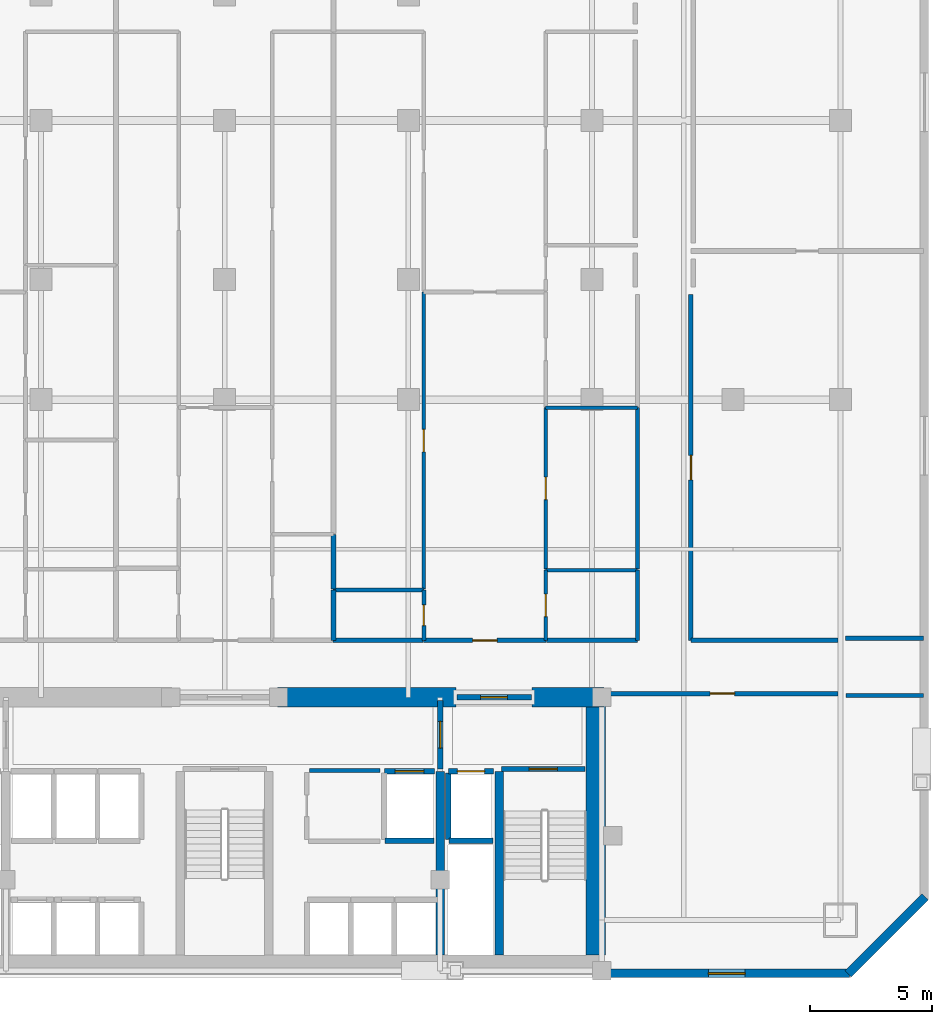
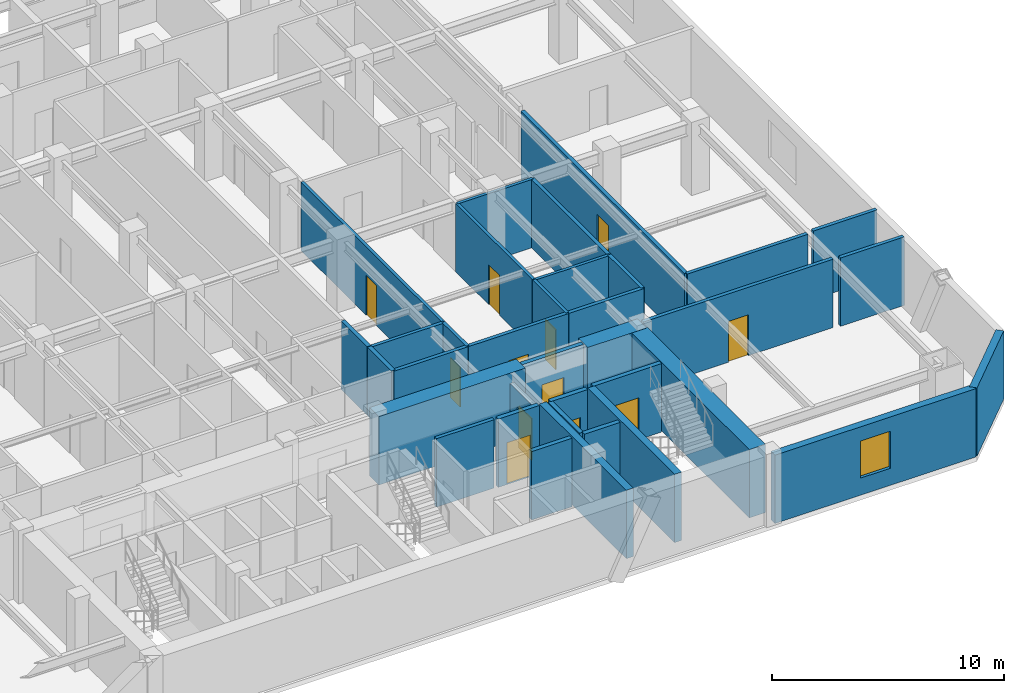
# One storey, part 5 of 9: 35 walls, 12 doors, 1 window, 13 openings.
"""IFC4 building model written with IfcOpenShell, lengths in metres."""

from ifc_helpers import new_model, si_unit, direction, frame, frame_2d, origin, place, context, subcontext, project, spatial, rectangle, extrude, material, layer, layer_set, type_object, element, fill, save


model = new_model("IFC4")

# Units and contexts
model_context = context("Model", 3, precision=1e-05, world=origin(), true_north=direction((0.0, 1.0)))
body_context = subcontext(model_context, "Body", "Model", "MODEL_VIEW")
ifc_project = project(units=[si_unit("LENGTHUNIT", "METRE"), si_unit("AREAUNIT", "SQUARE_METRE"), si_unit("VOLUMEUNIT", "CUBIC_METRE"), si_unit("PLANEANGLEUNIT", "RADIAN"), si_unit("MASSUNIT", "GRAM", prefix="KILO")], contexts=[model_context])

# Site, building, storey
site_placement = place(None, origin())
site = spatial("IfcSite", under=ifc_project, at=site_placement, CompositionType="ELEMENT")
building_placement = place(site_placement, origin())
building = spatial("IfcBuilding", under=site, at=building_placement, Name="Ventersveld Concourse Tower", CompositionType="ELEMENT")
storey_placement = place(building_placement, frame((0.0, 0.0, 45.199951171875)))
storey = spatial("IfcBuildingStorey", under=building, at=storey_placement, Name="L10", CompositionType="ELEMENT", Elevation=45.199951171875)

# Walls
ifc_material_1 = material(Name="Concrete C60/75", Category="concrete")
ifc_layer_1 = layer(ifc_material_1, 0.35009765625)
ifc_layer_set_1 = layer_set([ifc_layer_1], Name="Concrete C60/75")
wall_type_1 = type_object("IfcWallType", Name="WL-CORE-350L", PredefinedType="SHEAR", material=ifc_layer_set_1)
for number, where, z_axis, x_axis, name in (
    (1, (37.550048828125, 0.919921875, 0.0), (0.0, 0.0, 1.0), (0.0, 1.0, 0.0), "L10 Core Internal Shear Web W-SVL-W"),
    (2, (39.9599609375, 0.919921875, 0.0), (0.0, 0.0, 1.0), (0.0, 1.0, 0.0), "L10 Core Internal Shear Web W-ST2-W"),
):
    element("IfcWall", number, at=place(storey_placement, frame(where, z_axis=z_axis, x_axis=x_axis)), inside=storey, type_object=wall_type_1, Name=name, PredefinedType="SHEAR", context=body_context, shape_type="SweptSolid", body=[
        extrude(rectangle(XDim=7.5, YDim=0.35009765625, at=frame_2d((3.75, 0.0))), origin(), (0.0, 0.0, 1.0), 3.60009765625),
    ])
ifc_layer_2 = layer(ifc_material_1, 0.800048828125)
ifc_layer_set_2 = layer_set([ifc_layer_2], Name="Concrete C60/75")
wall_type_2 = type_object("IfcWallType", Name="WL-CORE-800", PredefinedType="SHEAR", material=ifc_layer_set_2)
wall_1_placement = place(storey_placement, frame((43.89990234375, 0.919921875, 0.0), z_axis=(0.0, 0.0, 1.0), x_axis=(0.0, 1.0, 0.0)))
element("IfcWall", 3, at=wall_1_placement, inside=storey, type_object=wall_type_2, Name="L10 Rear Core East Shear Wall", PredefinedType="SHEAR", context=body_context, shape_type="SweptSolid", body=[
    extrude(rectangle(XDim=10.530029296875, YDim=0.800048828125, at=frame_2d((5.26513671875, 0.0))), origin(), (0.0, 0.0, 1.0), 3.60009765625),
])
wall_2_placement = place(storey_placement, frame((30.89990234375, 11.449951171875, 0.0), z_axis=(0.0, 0.0, 1.0), x_axis=(1.0, 0.0, 0.0)))
element("IfcWall", 4, at=wall_2_placement, inside=storey, type_object=wall_type_2, Name="L10 Rear Core North Shear Wall NMR", PredefinedType="SHEAR", context=body_context, shape_type="SweptSolid", body=[
    extrude(rectangle(XDim=7.300048828125, YDim=0.800048828125, at=frame_2d((3.64990234375, 0.0))), origin(), (0.0, 0.0, 1.0), 3.60009765625),
])
wall_3_placement = place(storey_placement, frame((41.300048828125, 11.449951171875, 0.0), z_axis=(0.0, 0.0, 1.0), x_axis=(1.0, 0.0, 0.0)))
element("IfcWall", 5, at=wall_3_placement, inside=storey, type_object=wall_type_2, Name="L10 Rear Core North Shear Wall NE", PredefinedType="SHEAR", context=body_context, shape_type="SweptSolid", body=[
    extrude(rectangle(XDim=2.949951171875, YDim=0.800048828125, at=frame_2d((1.47509765625, 0.0))), origin(), (0.0, 0.0, 1.0), 3.60009765625),
])
ifc_material_2 = material(Name="Fire-rated autoclaved aerated masonry blockwork", Category="masonry")
ifc_layer_3 = layer(ifc_material_2, 0.179931640625)
ifc_layer_set_3 = layer_set([ifc_layer_3], Name="Fire-rated autoclaved aerated masonry blockwork")
wall_type_3 = type_object("IfcWallType", Name="WL-CORR-180", PredefinedType="PARTITIONING", material=ifc_layer_set_3)
wall_4_placement = place(storey_placement, frame((32.219970703125, 8.4599609375, 0.0), z_axis=(0.0, 0.0, 1.0), x_axis=(1.0, 0.0, 0.0)))
element("IfcWall", 6, at=wall_4_placement, inside=storey, type_object=wall_type_3, Name="L10 Core Top Wall SP-L10-CBAY1", PredefinedType="PARTITIONING", context=body_context, shape_type="SweptSolid", body=[
    extrude(rectangle(XDim=2.880126953125, YDim=0.179931640625, at=frame_2d((1.43994140625, 0.0))), origin(), (0.0, 0.0, 1.0), 3.60009765625),
])

# Wall, opening, door
wall_5_placement = place(storey_placement, frame((44.35498046875, 11.60009765625, 0.0), z_axis=(0.0, 0.0, 1.0), x_axis=(1.0, 0.0, 0.0)))
wall_5 = element("IfcWall", 7, at=wall_5_placement, inside=storey, type_object=wall_type_3, Name="L10 Interior Partition SP-L10-SE-OFF-SP-L10-COR", PredefinedType="PARTITIONING", context=body_context, shape_type="SweptSolid", body=[
    extrude(rectangle(XDim=9.43994140625, YDim=0.179931640625, at=frame_2d((4.719970703125, 0.0))), origin(), (0.0, 0.0, 1.0), 3.60009765625),
])
opening_1_placement = place(wall_5_placement, frame((4.219970703125, 0.0, 0.0)))
opening_1 = element("IfcOpeningElement", 8, at=opening_1_placement, cuts=wall_5, Name="Opening FD3", PredefinedType="OPENING", context=body_context, shape_type="SweptSolid", body=[
    extrude(rectangle(XDim=1.0, YDim=2.14990234375, at=frame_2d((0.5, 1.074951171875))), frame((0.0, 0.10009765625, 0.0), z_axis=(0.0, -1.0, 0.0), x_axis=(1.0, 0.0, 0.0)), (0.0, 0.0, 1.0), 0.199951171875),
])
ifc_material_3 = material(Name="Solid-core hardwood veneer timber", Category="wood")
door_type_1 = type_object("IfcDoorType", Name="DR-FLAT-100", OperationType="NOTDEFINED", PredefinedType="DOOR", material=ifc_material_3)
door_1_placement = place(opening_1_placement, origin())
door_1 = element("IfcDoor", 9, at=door_1_placement, inside=storey, type_object=door_type_1, Name="L10 Interior Door SP-L10-SE-OFF to SP-L10-COR (D-L10-0372)", OperationType="SINGLE_SWING_RIGHT", OverallHeight=2.14990234375, OverallWidth=1.0, PredefinedType="DOOR", context=body_context, shape_type="SweptSolid", body=[
    extrude(rectangle(XDim=1.0, YDim=2.14990234375, at=frame_2d((0.5, 1.074951171875))), frame((0.0, 0.02490234375, 0.0), z_axis=(0.0, -1.0, 0.0), x_axis=(1.0, 0.0, 0.0)), (0.0, 0.0, 1.0), 0.050048828125),
])
fill(opening_1, door_1)

wall_6_placement = place(storey_placement, frame((47.7900390625, 13.764892578125, 0.0), z_axis=(0.0, 0.0, 1.0), x_axis=(0.0, 1.0, 0.0)))
wall_6 = element("IfcWall", 10, at=wall_6_placement, inside=storey, type_object=wall_type_3, Name="L10 Interior Partition SP-L10-COR-SP-L10-NELNG1", PredefinedType="PARTITIONING", context=body_context, shape_type="SweptSolid", body=[
    extrude(rectangle(XDim=14.130126953125, YDim=0.179931640625, at=frame_2d((7.06494140625, 0.0))), origin(), (0.0, 0.0, 1.0), 3.60009765625),
])
opening_2_placement = place(wall_6_placement, frame((6.56494140625, 0.0, 0.0)))
opening_2 = element("IfcOpeningElement", 11, at=opening_2_placement, cuts=wall_6, Name="Opening FD3", PredefinedType="OPENING", context=body_context, shape_type="SweptSolid", body=[
    extrude(rectangle(XDim=1.0, YDim=2.14990234375, at=frame_2d((0.5, 1.074951171875))), frame((0.0, 0.10009765625, 0.0), z_axis=(0.0, -1.0, 0.0), x_axis=(1.0, 0.0, 0.0)), (0.0, 0.0, 1.0), 0.199951171875),
])
door_2_placement = place(opening_2_placement, origin())
door_2 = element("IfcDoor", 12, at=door_2_placement, inside=storey, type_object=door_type_1, Name="L10 Interior Door SP-L10-COR to SP-L10-NELNG1 (D-L10-0374)", OperationType="SINGLE_SWING_RIGHT", OverallHeight=2.14990234375, OverallWidth=1.0, PredefinedType="DOOR", context=body_context, shape_type="SweptSolid", body=[
    extrude(rectangle(XDim=1.0, YDim=2.14990234375, at=frame_2d((0.5, 1.074951171875))), frame((0.0, 0.02490234375, 0.0), z_axis=(0.0, -1.0, 0.0), x_axis=(1.0, 0.0, 0.0)), (0.0, 0.0, 1.0), 0.050048828125),
])
fill(opening_2, door_2)

# Wall
wall_7_placement = place(storey_placement, frame((47.784912109375, 13.77001953125, 0.0), z_axis=(0.0, 0.0, 1.0), x_axis=(1.0, 0.0, 0.0)))
element("IfcWall", 13, at=wall_7_placement, inside=storey, type_object=wall_type_3, Name="L10 Interior Partition SP-L10-COR-SP-L10-NELNG1", PredefinedType="PARTITIONING", context=body_context, shape_type="SweptSolid", body=[
    extrude(rectangle(XDim=6.010009765625, YDim=0.179931640625, at=frame_2d((3.0048828125, 0.0))), origin(), (0.0, 0.0, 1.0), 3.60009765625),
])

# Wall, opening, door
wall_8_placement = place(storey_placement, frame((36.87939453125, 13.77001953125, 0.0), z_axis=(0.0, 0.0, 1.0), x_axis=(1.0, 0.0, 0.0)))
wall_8 = element("IfcWall", 14, at=wall_8_placement, inside=storey, type_object=wall_type_3, Name="L10 Interior Partition SP-L10-COR-SP-L10-10CE-FOY", PredefinedType="PARTITIONING", context=body_context, shape_type="SweptSolid", body=[
    extrude(rectangle(XDim=4.989990234375, YDim=0.179931640625, at=frame_2d((2.4951171875, 0.0))), origin(), (0.0, 0.0, 1.0), 3.60009765625),
])
opening_3_placement = place(wall_8_placement, frame((1.9951171875, 0.0, 0.0)))
opening_3 = element("IfcOpeningElement", 15, at=opening_3_placement, cuts=wall_8, Name="Opening FD3", PredefinedType="OPENING", context=body_context, shape_type="SweptSolid", body=[
    extrude(rectangle(XDim=1.0, YDim=2.14990234375, at=frame_2d((0.5, 1.074951171875))), frame((0.0, 0.10009765625, 0.0), z_axis=(0.0, -1.0, 0.0), x_axis=(1.0, 0.0, 0.0)), (0.0, 0.0, 1.0), 0.199951171875),
])
door_3_placement = place(opening_3_placement, origin())
door_3 = element("IfcDoor", 16, at=door_3_placement, inside=storey, type_object=door_type_1, Name="L10 Interior Door SP-L10-COR to SP-L10-10CE-FOY (FD-L10-0376)", OperationType="SINGLE_SWING_RIGHT", OverallHeight=2.14990234375, OverallWidth=1.0, PredefinedType="DOOR", context=body_context, shape_type="SweptSolid", body=[
    extrude(rectangle(XDim=1.0, YDim=2.14990234375, at=frame_2d((0.5, 1.074951171875))), frame((0.0, 0.02490234375, 0.0), z_axis=(0.0, -1.0, 0.0), x_axis=(1.0, 0.0, 0.0)), (0.0, 0.0, 1.0), 0.050048828125),
])
fill(opening_3, door_3)

# Walls
wall_9_placement = place(storey_placement, frame((33.18505859375, 13.77001953125, 0.0), z_axis=(0.0, 0.0, 1.0), x_axis=(1.0, 0.0, 0.0)))
element("IfcWall", 17, at=wall_9_placement, inside=storey, type_object=wall_type_3, Name="L10 Interior Partition SP-L10-COR-SP-L10-10CE-BATH", PredefinedType="PARTITIONING", context=body_context, shape_type="SweptSolid", body=[
    extrude(rectangle(XDim=3.66455078125, YDim=0.179931640625, at=frame_2d((1.832275390625, 0.0))), origin(), (0.0, 0.0, 1.0), 3.60009765625),
])
wall_10_placement = place(storey_placement, frame((41.8994140625, 13.77001953125, 0.0), z_axis=(0.0, 0.0, 1.0), x_axis=(1.0, 0.0, 0.0)))
element("IfcWall", 18, at=wall_10_placement, inside=storey, type_object=wall_type_3, Name="L10 Interior Partition SP-L10-COR-SP-L10-10CE-KIT", PredefinedType="PARTITIONING", context=body_context, shape_type="SweptSolid", body=[
    extrude(rectangle(XDim=3.715576171875, YDim=0.179931640625, at=frame_2d((1.85791015625, 0.0))), origin(), (0.0, 0.0, 1.0), 3.60009765625),
])
wall_11_placement = place(storey_placement, frame((45.610107421875, 13.764892578125, 0.0), z_axis=(0.0, 0.0, 1.0), x_axis=(0.0, 1.0, 0.0)))
element("IfcWall", 19, at=wall_11_placement, inside=storey, type_object=wall_type_3, Name="L10 Interior Partition SP-L10-COR-SP-L10-10CE-KIT", PredefinedType="PARTITIONING", context=body_context, shape_type="SweptSolid", body=[
    extrude(rectangle(XDim=2.882568359375, YDim=0.179931640625, at=frame_2d((1.44140625, 0.0))), origin(), (0.0, 0.0, 1.0), 3.60009765625),
])
wall_12_placement = place(storey_placement, frame((45.610107421875, 16.677490234375, 0.0), z_axis=(0.0, 0.0, 1.0), x_axis=(0.0, 1.0, 0.0)))
element("IfcWall", 20, at=wall_12_placement, inside=storey, type_object=wall_type_3, Name="L10 Interior Partition SP-L10-COR-SP-L10-10CE-DENR", PredefinedType="PARTITIONING", context=body_context, shape_type="SweptSolid", body=[
    extrude(rectangle(XDim=6.60302734375, YDim=0.179931640625, at=frame_2d((3.301513671875, 0.0))), origin(), (0.0, 0.0, 1.0), 3.60009765625),
])
wall_13_placement = place(storey_placement, frame((54.1123046875, 11.52001953125, 0.0), z_axis=(0.0, 0.0, 1.0), x_axis=(1.0, 0.0, 0.0)))
element("IfcWall", 21, at=wall_13_placement, inside=storey, type_object=wall_type_3, Name="L10 Room Enclosure Wall SP-L10-SE-OFF", PredefinedType="PARTITIONING", context=body_context, shape_type="SweptSolid", body=[
    extrude(rectangle(XDim=3.177734375, YDim=0.179931640625, at=frame_2d((1.5888671875, 0.0))), origin(), (0.0, 0.0, 1.0), 3.60009765625),
])
wall_14_placement = place(storey_placement, frame((57.2900390625, 13.860107421875, 0.0), z_axis=(0.0, 0.0, 1.0), x_axis=(-1.0, 0.0, 0.0)))
element("IfcWall", 22, at=wall_14_placement, inside=storey, type_object=wall_type_3, Name="L10 Room Enclosure Wall SP-L10-NELNG1", PredefinedType="PARTITIONING", context=body_context, shape_type="SweptSolid", body=[
    extrude(rectangle(XDim=3.18017578125, YDim=0.179931640625, at=frame_2d((1.590087890625, 0.0))), origin(), (0.0, 0.0, 1.0), 3.60009765625),
])
ifc_layer_4 = layer(ifc_material_2, 0.199951171875)
ifc_layer_set_4 = layer_set([ifc_layer_4], Name="Fire-rated autoclaved aerated masonry blockwork")
wall_type_4 = type_object("IfcWallType", Name="WL-DEMISE-200", PredefinedType="PARTITIONING", material=ifc_layer_set_4)
wall_15_placement = place(storey_placement, frame((33.18994140625, 13.764892578125, 0.0), z_axis=(0.0, 0.0, 1.0), x_axis=(0.0, 1.0, 0.0)))
element("IfcWall", 23, at=wall_15_placement, inside=storey, type_object=wall_type_4, Name="L10 Interior Partition SP-L10-10CE-BATH-SP-L10-10CM-KIT", PredefinedType="PARTITIONING", context=body_context, shape_type="SweptSolid", body=[
    extrude(rectangle(XDim=2.068115234375, YDim=0.199951171875, at=frame_2d((1.0341796875, 0.0))), origin(), (0.0, 0.0, 1.0), 3.60009765625),
])
wall_16_placement = place(storey_placement, frame((33.18994140625, 15.86279296875, 0.0), z_axis=(0.0, 0.0, 1.0), x_axis=(0.0, 1.0, 0.0)))
element("IfcWall", 24, at=wall_16_placement, inside=storey, type_object=wall_type_4, Name="L10 Interior Partition SP-L10-10CE-OFFL0-SP-L10-10CM-KIT", PredefinedType="PARTITIONING", context=body_context, shape_type="SweptSolid", body=[
    extrude(rectangle(XDim=2.242919921875, YDim=0.199951171875, at=frame_2d((1.12158203125, 0.0))), origin(), (0.0, 0.0, 1.0), 3.60009765625),
])
ifc_layer_5 = layer(ifc_material_2, 0.219970703125)
ifc_layer_set_5 = layer_set([ifc_layer_5], Name="Fire-rated autoclaved aerated masonry blockwork")
wall_type_5 = type_object("IfcWallType", Name="WL-HOIST-220", PredefinedType="SOLIDWALL", material=ifc_layer_set_5)
wall_17_placement = place(storey_placement, frame((37.919921875, 5.590087890625, 0.0), z_axis=(0.0, 0.0, 1.0), x_axis=(1.0, 0.0, 0.0)))
element("IfcWall", 25, at=wall_17_placement, inside=storey, type_object=wall_type_5, Name="L10 Lift Hoistway Back Wall FFL-02", PredefinedType="SOLIDWALL", context=body_context, shape_type="SweptSolid", body=[
    extrude(rectangle(XDim=1.780029296875, YDim=0.219970703125, at=frame_2d((0.89013671875, 0.0))), origin(), (0.0, 0.0, 1.0), 3.60009765625),
])
wall_18_placement = place(storey_placement, frame((37.8798828125, 5.64990234375, 0.0), z_axis=(0.0, 0.0, 1.0), x_axis=(0.0, 1.0, 0.0)))
element("IfcWall", 26, at=wall_18_placement, inside=storey, type_object=wall_type_5, Name="L10 Lift Hoistway Side Wall FFL-02W", PredefinedType="SOLIDWALL", context=body_context, shape_type="SweptSolid", body=[
    extrude(rectangle(XDim=2.7001953125, YDim=0.219970703125, at=frame_2d((1.35009765625, 0.0))), origin(), (0.0, 0.0, 1.0), 3.60009765625),
])

# Wall, opening, door
wall_19_placement = place(storey_placement, frame((37.89990234375, 8.429931640625, 0.0), z_axis=(0.0, 0.0, 1.0), x_axis=(1.0, 0.0, 0.0)))
wall_19 = element("IfcWall", 27, at=wall_19_placement, inside=storey, type_object=wall_type_5, Name="L10 Lift Hoistway Front Wall FFL-02", PredefinedType="SOLIDWALL", context=body_context, shape_type="SweptSolid", body=[
    extrude(rectangle(XDim=1.820068359375, YDim=0.219970703125, at=frame_2d((0.91015625, 0.0))), origin(), (0.0, 0.0, 1.0), 3.60009765625),
])
opening_4_placement = place(wall_19_placement, frame((0.35009765625, 0.0, 0.0)))
opening_4 = element("IfcOpeningElement", 28, at=opening_4_placement, cuts=wall_19, Name="Opening LD1", PredefinedType="OPENING", context=body_context, shape_type="SweptSolid", body=[
    extrude(rectangle(XDim=1.1201171875, YDim=2.25, at=frame_2d((0.56005859375, 1.125))), frame((0.0, 0.1201171875, 0.0), z_axis=(0.0, -1.0, 0.0), x_axis=(1.0, 0.0, 0.0)), (0.0, 0.0, 1.0), 0.239990234375),
])
ifc_material_4 = material(Name="Brushed stainless steel 316", Category="steel")
door_type_2 = type_object("IfcDoorType", Name="LD-FF-112", OperationType="SLIDING_TO_LEFT", PredefinedType="DOOR", material=ifc_material_4)
door_4_placement = place(opening_4_placement, origin())
door_4 = element("IfcDoor", 29, at=door_4_placement, inside=storey, type_object=door_type_2, Name="L10 Lift landing door FFL-02 (LD-L10-FFL-02)", OperationType="SLIDING_TO_RIGHT", OverallHeight=2.25, OverallWidth=1.1201171875, PredefinedType="DOOR", context=body_context, shape_type="SweptSolid", body=[
    extrude(rectangle(XDim=1.1201171875, YDim=2.25, at=frame_2d((0.56005859375, 1.125))), frame((0.0, 0.02490234375, 0.0), z_axis=(0.0, -1.0, 0.0), x_axis=(1.0, 0.0, 0.0)), (0.0, 0.0, 1.0), 0.050048828125),
])
fill(opening_4, door_4)

# Wall
wall_20_placement = place(storey_placement, frame((35.300048828125, 5.590087890625, 0.0), z_axis=(0.0, 0.0, 1.0), x_axis=(1.0, 0.0, 0.0)))
element("IfcWall", 30, at=wall_20_placement, inside=storey, type_object=wall_type_5, Name="L10 Lift Hoistway Back Wall SVL-01", PredefinedType="SOLIDWALL", context=body_context, shape_type="SweptSolid", body=[
    extrude(rectangle(XDim=2.0, YDim=0.219970703125, at=frame_2d((1.0, 0.0))), origin(), (0.0, 0.0, 1.0), 3.60009765625),
])

# Wall, opening, door
wall_21_placement = place(storey_placement, frame((35.280029296875, 8.429931640625, 0.0), z_axis=(0.0, 0.0, 1.0), x_axis=(1.0, 0.0, 0.0)))
wall_21 = element("IfcWall", 31, at=wall_21_placement, inside=storey, type_object=wall_type_5, Name="L10 Lift Hoistway Front Wall SVL-01", PredefinedType="SOLIDWALL", context=body_context, shape_type="SweptSolid", body=[
    extrude(rectangle(XDim=2.0400390625, YDim=0.219970703125, at=frame_2d((1.02001953125, 0.0))), origin(), (0.0, 0.0, 1.0), 3.60009765625),
])
opening_5_placement = place(wall_21_placement, frame((0.429931640625, 0.0, 0.0)))
opening_5 = element("IfcOpeningElement", 32, at=opening_5_placement, cuts=wall_21, Name="Opening LD2", PredefinedType="OPENING", context=body_context, shape_type="SweptSolid", body=[
    extrude(rectangle(XDim=1.179931640625, YDim=2.199951171875, at=frame_2d((0.58984375, 1.10009765625))), frame((0.0, 0.1201171875, 0.0), z_axis=(0.0, -1.0, 0.0), x_axis=(1.0, 0.0, 0.0)), (0.0, 0.0, 1.0), 0.239990234375),
])
door_type_3 = type_object("IfcDoorType", Name="LD-PAX-118", OperationType="SLIDING_TO_LEFT", PredefinedType="DOOR", material=ifc_material_4)
door_5_placement = place(opening_5_placement, origin())
door_5 = element("IfcDoor", 33, at=door_5_placement, inside=storey, type_object=door_type_3, Name="L10 Lift landing door SVL-01 (LD-L10-SVL-01)", OperationType="SLIDING_TO_LEFT", OverallHeight=2.199951171875, OverallWidth=1.179931640625, PredefinedType="DOOR", context=body_context, shape_type="SweptSolid", body=[
    extrude(rectangle(XDim=1.179931640625, YDim=2.199951171875, at=frame_2d((0.58984375, 1.10009765625))), frame((0.0, 0.02490234375, 0.0), z_axis=(0.0, -1.0, 0.0), x_axis=(1.0, 0.0, 0.0)), (0.0, 0.0, 1.0), 0.050048828125),
])
fill(opening_5, door_5)

wall_22_placement = place(storey_placement, frame((40.06005859375, 8.52001953125, 0.0), z_axis=(0.0, 0.0, 1.0), x_axis=(1.0, 0.0, 0.0)))
wall_22 = element("IfcWall", 34, at=wall_22_placement, inside=storey, type_object=wall_type_5, Name="L10 Escape Stair ST02 Fire Wall", PredefinedType="SOLIDWALL", context=body_context, shape_type="SweptSolid", body=[
    extrude(rectangle(XDim=3.39990234375, YDim=0.219970703125, at=frame_2d((1.699951171875, 0.0))), origin(), (0.0, 0.0, 1.0), 3.60009765625),
])
opening_6_placement = place(wall_22_placement, frame((1.125, 0.0, 0.0)))
opening_6 = element("IfcOpeningElement", 35, at=opening_6_placement, cuts=wall_22, Name="Opening FD1", PredefinedType="OPENING", context=body_context, shape_type="SweptSolid", body=[
    extrude(rectangle(XDim=1.14990234375, YDim=2.199951171875, at=frame_2d((0.574951171875, 1.10009765625))), frame((0.0, 0.1201171875, 0.0), z_axis=(0.0, -1.0, 0.0), x_axis=(1.0, 0.0, 0.0)), (0.0, 0.0, 1.0), 0.239990234375),
])
ifc_material_5 = material(Name="Galvanised painted steel", Category="steel")
door_type_4 = type_object("IfcDoorType", Name="DR-STAIR-115", OperationType="NOTDEFINED", PredefinedType="DOOR", material=ifc_material_5)
door_6_placement = place(opening_6_placement, origin())
door_6 = element("IfcDoor", 36, at=door_6_placement, inside=storey, type_object=door_type_4, Name="L10 Escape Stair Door ST02 (SD-L10-0363)", OperationType="SINGLE_SWING_RIGHT", OverallHeight=2.199951171875, OverallWidth=1.14990234375, PredefinedType="DOOR", context=body_context, shape_type="SweptSolid", body=[
    extrude(rectangle(XDim=1.14990234375, YDim=2.199951171875, at=frame_2d((0.574951171875, 1.10009765625))), frame((0.0, 0.02490234375, 0.0), z_axis=(0.0, -1.0, 0.0), x_axis=(1.0, 0.0, 0.0)), (0.0, 0.0, 1.0), 0.050048828125),
])
fill(opening_6, door_6)

wall_23_placement = place(storey_placement, frame((37.550048828125, 8.52001953125, 0.0), z_axis=(0.0, 0.0, 1.0), x_axis=(0.0, 1.0, 0.0)))
wall_23 = element("IfcWall", 37, at=wall_23_placement, inside=storey, type_object=wall_type_5, Name="L10 Firefighting Lobby Smoke-Stop Wall FFLE-SEP", PredefinedType="SOLIDWALL", context=body_context, shape_type="SweptSolid", body=[
    extrude(rectangle(XDim=2.800048828125, YDim=0.219970703125, at=frame_2d((1.39990234375, 0.0))), origin(), (0.0, 0.0, 1.0), 3.0556640625),
])
opening_7_placement = place(wall_23_placement, frame((0.85009765625, 0.0, 0.0)))
opening_7 = element("IfcOpeningElement", 38, at=opening_7_placement, cuts=wall_23, Name="Opening FD2", PredefinedType="OPENING", context=body_context, shape_type="SweptSolid", body=[
    extrude(rectangle(XDim=1.10009765625, YDim=2.199951171875, at=frame_2d((0.550048828125, 1.10009765625))), frame((0.0, 0.1201171875, 0.0), z_axis=(0.0, -1.0, 0.0), x_axis=(1.0, 0.0, 0.0)), (0.0, 0.0, 1.0), 0.239990234375),
])
door_type_5 = type_object("IfcDoorType", Name="DR-FFL-110", OperationType="NOTDEFINED", PredefinedType="DOOR", material=ifc_material_5)
door_7_placement = place(opening_7_placement, origin())
door_7 = element("IfcDoor", 39, at=door_7_placement, inside=storey, type_object=door_type_5, Name="L10 Firefighting Lobby Door FFLE-SEP (FD-L10-0366)", OperationType="SINGLE_SWING_RIGHT", OverallHeight=2.199951171875, OverallWidth=1.10009765625, PredefinedType="DOOR", context=body_context, shape_type="SweptSolid", body=[
    extrude(rectangle(XDim=1.10009765625, YDim=2.199951171875, at=frame_2d((0.550048828125, 1.10009765625))), frame((0.0, 0.02490234375, 0.0), z_axis=(0.0, -1.0, 0.0), x_axis=(1.0, 0.0, 0.0)), (0.0, 0.0, 1.0), 0.050048828125),
])
fill(opening_7, door_7)

wall_24_placement = place(storey_placement, frame((38.22998046875, 11.449951171875, 0.0), z_axis=(0.0, 0.0, 1.0), x_axis=(1.0, 0.0, 0.0)))
wall_24 = element("IfcWall", 40, at=wall_24_placement, inside=storey, type_object=wall_type_5, Name="L10 Core North Fire Portal FFLE-OUT", PredefinedType="SOLIDWALL", context=body_context, shape_type="SweptSolid", body=[
    extrude(rectangle(XDim=3.0400390625, YDim=0.219970703125, at=frame_2d((1.52001953125, 0.0))), origin(), (0.0, 0.0, 1.0), 3.60009765625),
])
opening_8_placement = place(wall_24_placement, frame((0.969970703125, 0.0, 0.0)))
opening_8 = element("IfcOpeningElement", 41, at=opening_8_placement, cuts=wall_24, Name="Opening FD2", PredefinedType="OPENING", context=body_context, shape_type="SweptSolid", body=[
    extrude(rectangle(XDim=1.10009765625, YDim=2.199951171875, at=frame_2d((0.550048828125, 1.10009765625))), frame((0.0, 0.1201171875, 0.0), z_axis=(0.0, -1.0, 0.0), x_axis=(1.0, 0.0, 0.0)), (0.0, 0.0, 1.0), 0.239990234375),
])
door_8_placement = place(opening_8_placement, origin())
door_8 = element("IfcDoor", 42, at=door_8_placement, inside=storey, type_object=door_type_5, Name="L10 Core Lobby Fire Door FFLE-OUT (FD-L10-0369)", OperationType="SINGLE_SWING_LEFT", OverallHeight=2.199951171875, OverallWidth=1.10009765625, PredefinedType="DOOR", context=body_context, shape_type="SweptSolid", body=[
    extrude(rectangle(XDim=1.10009765625, YDim=2.199951171875, at=frame_2d((0.550048828125, 1.10009765625))), frame((0.0, 0.02490234375, 0.0), z_axis=(0.0, -1.0, 0.0), x_axis=(1.0, 0.0, 0.0)), (0.0, 0.0, 1.0), 0.050048828125),
])
fill(opening_8, door_8)

ifc_material_6 = material(Name="Autoclaved aerated masonry blockwork", Category="masonry")
ifc_layer_6 = layer(ifc_material_6, 0.14990234375)
ifc_layer_set_6 = layer_set([ifc_layer_6], Name="Autoclaved aerated masonry blockwork")
wall_type_6 = type_object("IfcWallType", Name="WL-INT-150", PredefinedType="PARTITIONING", material=ifc_layer_set_6)
wall_25_placement = place(storey_placement, frame((36.884521484375, 15.86279296875, 0.0), z_axis=(0.0, 0.0, 1.0), x_axis=(0.0, 1.0, 0.0)))
wall_25 = element("IfcWall", 43, at=wall_25_placement, inside=storey, type_object=wall_type_6, Name="L10 Interior Partition SP-L10-10CE-FOY-SP-L10-10CE-OFFL0", PredefinedType="PARTITIONING", context=body_context, shape_type="SweptSolid", body=[
    extrude(rectangle(XDim=12.1416015625, YDim=0.14990234375, at=frame_2d((6.07080078125, 0.0))), origin(), (0.0, 0.0, 1.0), 3.60009765625),
])
opening_9_placement = place(wall_25_placement, frame((5.610595703125, 0.0, 0.0)))
opening_9 = element("IfcOpeningElement", 44, at=opening_9_placement, cuts=wall_25, Name="Opening ID1", PredefinedType="OPENING", context=body_context, shape_type="SweptSolid", body=[
    extrude(rectangle(XDim=0.919921875, YDim=2.10009765625, at=frame_2d((0.4599609375, 1.050048828125))), frame((0.0, 0.0849609375, 0.0), z_axis=(0.0, -1.0, 0.0), x_axis=(1.0, 0.0, 0.0)), (0.0, 0.0, 1.0), 0.169921875),
])
door_type_6 = type_object("IfcDoorType", Name="DR-ROOM-092", OperationType="NOTDEFINED", PredefinedType="DOOR", material=ifc_material_3)
door_9_placement = place(opening_9_placement, origin())
door_9 = element("IfcDoor", 45, at=door_9_placement, inside=storey, type_object=door_type_6, Name="L10 Interior Door SP-L10-10CE-FOY to SP-L10-10CE-OFFL0 (D-L10-0393)", OperationType="SINGLE_SWING_LEFT", OverallHeight=2.10009765625, OverallWidth=0.919921875, PredefinedType="DOOR", context=body_context, shape_type="SweptSolid", body=[
    extrude(rectangle(XDim=0.919921875, YDim=2.10009765625, at=frame_2d((0.4599609375, 1.050048828125))), frame((0.0, 0.02490234375, 0.0), z_axis=(0.0, -1.0, 0.0), x_axis=(1.0, 0.0, 0.0)), (0.0, 0.0, 1.0), 0.050048828125),
])
fill(opening_9, door_9)

wall_26_placement = place(storey_placement, frame((41.864501953125, 13.764892578125, 0.0), z_axis=(0.0, 0.0, 1.0), x_axis=(0.0, 1.0, 0.0)))
wall_26 = element("IfcWall", 46, at=wall_26_placement, inside=storey, type_object=wall_type_6, Name="L10 Interior Partition SP-L10-10CE-FOY-SP-L10-10CE-KIT", PredefinedType="PARTITIONING", context=body_context, shape_type="SweptSolid", body=[
    extrude(rectangle(XDim=2.882568359375, YDim=0.14990234375, at=frame_2d((1.44140625, 0.0))), origin(), (0.0, 0.0, 1.0), 3.60009765625),
])
opening_10_placement = place(wall_26_placement, frame((0.981201171875, 0.0, 0.0)))
opening_10 = element("IfcOpeningElement", 47, at=opening_10_placement, cuts=wall_26, Name="Opening ID1", PredefinedType="OPENING", context=body_context, shape_type="SweptSolid", body=[
    extrude(rectangle(XDim=0.919921875, YDim=2.10009765625, at=frame_2d((0.4599609375, 1.050048828125))), frame((0.0, 0.0849609375, 0.0), z_axis=(0.0, -1.0, 0.0), x_axis=(1.0, 0.0, 0.0)), (0.0, 0.0, 1.0), 0.169921875),
])
door_10_placement = place(opening_10_placement, origin())
door_10 = element("IfcDoor", 48, at=door_10_placement, inside=storey, type_object=door_type_6, Name="L10 Interior Door SP-L10-10CE-FOY to SP-L10-10CE-KIT (D-L10-0394)", OperationType="SINGLE_SWING_RIGHT", OverallHeight=2.10009765625, OverallWidth=0.919921875, PredefinedType="DOOR", context=body_context, shape_type="SweptSolid", body=[
    extrude(rectangle(XDim=0.919921875, YDim=2.10009765625, at=frame_2d((0.4599609375, 1.050048828125))), frame((0.0, 0.02490234375, 0.0), z_axis=(0.0, -1.0, 0.0), x_axis=(1.0, 0.0, 0.0)), (0.0, 0.0, 1.0), 0.050048828125),
])
fill(opening_10, door_10)

wall_27_placement = place(storey_placement, frame((41.864501953125, 16.677490234375, 0.0), z_axis=(0.0, 0.0, 1.0), x_axis=(0.0, 1.0, 0.0)))
wall_27 = element("IfcWall", 49, at=wall_27_placement, inside=storey, type_object=wall_type_6, Name="L10 Interior Partition SP-L10-10CE-FOY-SP-L10-10CE-DENR", PredefinedType="PARTITIONING", context=body_context, shape_type="SweptSolid", body=[
    extrude(rectangle(XDim=6.60302734375, YDim=0.14990234375, at=frame_2d((3.301513671875, 0.0))), origin(), (0.0, 0.0, 1.0), 3.60009765625),
])
opening_11_placement = place(wall_27_placement, frame((2.84130859375, 0.0, 0.0)))
opening_11 = element("IfcOpeningElement", 50, at=opening_11_placement, cuts=wall_27, Name="Opening ID1", PredefinedType="OPENING", context=body_context, shape_type="SweptSolid", body=[
    extrude(rectangle(XDim=0.919921875, YDim=2.10009765625, at=frame_2d((0.4599609375, 1.050048828125))), frame((0.0, 0.0849609375, 0.0), z_axis=(0.0, -1.0, 0.0), x_axis=(1.0, 0.0, 0.0)), (0.0, 0.0, 1.0), 0.169921875),
])
door_11_placement = place(opening_11_placement, origin())
door_11 = element("IfcDoor", 51, at=door_11_placement, inside=storey, type_object=door_type_6, Name="L10 Interior Door SP-L10-10CE-FOY to SP-L10-10CE-DENR (D-L10-0395)", OperationType="SINGLE_SWING_LEFT", OverallHeight=2.10009765625, OverallWidth=0.919921875, PredefinedType="DOOR", context=body_context, shape_type="SweptSolid", body=[
    extrude(rectangle(XDim=0.919921875, YDim=2.10009765625, at=frame_2d((0.4599609375, 1.050048828125))), frame((0.0, 0.02490234375, 0.0), z_axis=(0.0, -1.0, 0.0), x_axis=(1.0, 0.0, 0.0)), (0.0, 0.0, 1.0), 0.050048828125),
])
fill(opening_11, door_11)

# Walls
for number, where, z_axis, x_axis, name in (
    (52, (41.859619140625, 16.642578125, 0.0), (0.0, 0.0, 1.0), (1.0, 0.0, 0.0), "L10 Interior Partition SP-L10-10CE-KIT-SP-L10-10CE-DENR"),
    (53, (41.859619140625, 23.275390625, 0.0), (0.0, 0.0, 1.0), (1.0, 0.0, 0.0), "L10 Interior Partition SP-L10-10CE-DENR-SP-L10-10CE-DENS"),
):
    element("IfcWall", number, at=place(storey_placement, frame(where, z_axis=z_axis, x_axis=x_axis)), inside=storey, type_object=wall_type_6, Name=name, PredefinedType="PARTITIONING", context=body_context, shape_type="SweptSolid", body=[
        extrude(rectangle(XDim=3.75537109375, YDim=0.14990234375, at=frame_2d((1.877685546875, 0.0))), origin(), (0.0, 0.0, 1.0), 3.60009765625),
    ])

# Wall, opening, window
ifc_material_7 = material(Name="Precast concrete C45/55", Category="concrete")
ifc_layer_7 = layer(ifc_material_7, 0.35009765625)
ifc_layer_set_7 = layer_set([ifc_layer_7], Name="Precast concrete C45/55")
wall_type_7 = type_object("IfcWallType", Name="WL-PREC-350", PredefinedType="SOLIDWALL", material=ifc_layer_set_7)
wall_28_placement = place(storey_placement, frame((44.25, 0.179931640625, 0.0), z_axis=(0.0, 0.0, 1.0), x_axis=(1.0, 0.0, 0.0)))
wall_28 = element("IfcWall", 54, at=wall_28_placement, inside=storey, type_object=wall_type_7, Name="L10 South-East Flank Precast Wall", PredefinedType="SOLIDWALL", context=body_context, shape_type="SweptSolid", body=[
    extrude(rectangle(XDim=10.010009765625, YDim=0.35009765625, at=frame_2d((5.0048828125, 0.0))), origin(), (0.0, 0.0, 1.0), 3.60009765625),
])
opening_12_placement = place(wall_28_placement, frame((4.2548828125, 0.0, 0.89990234375)))
opening_12 = element("IfcOpeningElement", 55, at=opening_12_placement, cuts=wall_28, Name="Opening W1", PredefinedType="OPENING", context=body_context, shape_type="SweptSolid", body=[
    extrude(rectangle(XDim=1.5, YDim=1.949951171875, at=frame_2d((0.75, 0.97509765625))), frame((0.0, 0.18505859375, 0.0), z_axis=(0.0, -1.0, 0.0), x_axis=(1.0, 0.0, 0.0)), (0.0, 0.0, 1.0), 0.3701171875),
])
ifc_material_8 = material(Name="Tempered acoustic Low-E IGU", Category="glass")
window_type = type_object("IfcWindowType", Name="WIN-150x210", PartitioningType="SINGLE_PANEL", PredefinedType="WINDOW", material=ifc_material_8)
window_placement = place(opening_12_placement, origin())
window = element("IfcWindow", 56, at=window_placement, inside=storey, type_object=window_type, Name="L10 Punched Low-E Window W-0050", OverallHeight=1.949951171875, OverallWidth=1.5, PartitioningType="SINGLE_PANEL", PredefinedType="WINDOW", context=body_context, shape_type="SweptSolid", body=[
    extrude(rectangle(XDim=1.5, YDim=1.949951171875, at=frame_2d((0.75, 0.97509765625))), frame((0.0, 0.030029296875, 0.0), z_axis=(0.0, -1.0, 0.0), x_axis=(1.0, 0.0, 0.0)), (0.0, 0.0, 1.0), 0.06005859375),
])
fill(opening_12, window)

# Wall
wall_29_placement = place(storey_placement, frame((54.20458984375, 0.152099609375, 0.0), z_axis=(0.0, 0.0, 1.0), x_axis=(0.707106781187, 0.707106781187, 0.0)))
element("IfcWall", 57, at=wall_29_placement, inside=storey, type_object=wall_type_7, Name="L10 Highveld Precast Facade Wall E02", PredefinedType="SOLIDWALL", context=body_context, shape_type="SweptSolid", body=[
    extrude(rectangle(XDim=4.4453125, YDim=0.35009765625, at=frame_2d((2.22265625, 0.0))), origin(), (0.0, 0.0, 1.0), 3.60009765625),
])

# Wall, opening, door
ifc_layer_8 = layer(ifc_material_6, 0.1650390625)
ifc_layer_set_8 = layer_set([ifc_layer_8], Name="Autoclaved aerated masonry blockwork")
wall_type_8 = type_object("IfcWallType", Name="WL-WET-165", PredefinedType="PLUMBINGWALL", material=ifc_layer_set_8)
wall_30_placement = place(storey_placement, frame((36.884521484375, 13.764892578125, 0.0), z_axis=(0.0, 0.0, 1.0), x_axis=(0.0, 1.0, 0.0)))
wall_30 = element("IfcWall", 58, at=wall_30_placement, inside=storey, type_object=wall_type_8, Name="L10 Interior Partition SP-L10-10CE-FOY-SP-L10-10CE-BATH", PredefinedType="PLUMBINGWALL", context=body_context, shape_type="SweptSolid", body=[
    extrude(rectangle(XDim=2.068115234375, YDim=0.1650390625, at=frame_2d((1.0341796875, 0.0))), origin(), (0.0, 0.0, 1.0), 3.60009765625),
])
opening_13_placement = place(wall_30_placement, frame((0.60888671875, 0.0, 0.0)))
opening_13 = element("IfcOpeningElement", 59, at=opening_13_placement, cuts=wall_30, Name="Opening ID2", PredefinedType="OPENING", context=body_context, shape_type="SweptSolid", body=[
    extrude(rectangle(XDim=0.85009765625, YDim=2.10009765625, at=frame_2d((0.425048828125, 1.050048828125))), frame((0.0, 0.092529296875, 0.0), z_axis=(0.0, -1.0, 0.0), x_axis=(1.0, 0.0, 0.0)), (0.0, 0.0, 1.0), 0.18505859375),
])
door_type_7 = type_object("IfcDoorType", Name="DR-BATH-085", OperationType="NOTDEFINED", PredefinedType="DOOR", material=ifc_material_3)
door_12_placement = place(opening_13_placement, origin())
door_12 = element("IfcDoor", 60, at=door_12_placement, inside=storey, type_object=door_type_7, Name="L10 Interior Door SP-L10-10CE-FOY to SP-L10-10CE-BATH (D-L10-0392)", OperationType="SINGLE_SWING_RIGHT", OverallHeight=2.10009765625, OverallWidth=0.85009765625, PredefinedType="DOOR", context=body_context, shape_type="SweptSolid", body=[
    extrude(rectangle(XDim=0.85009765625, YDim=2.10009765625, at=frame_2d((0.425048828125, 1.050048828125))), frame((0.0, 0.02490234375, 0.0), z_axis=(0.0, -1.0, 0.0), x_axis=(1.0, 0.0, 0.0)), (0.0, 0.0, 1.0), 0.050048828125),
])
fill(opening_13, door_12)

# Wall
wall_31_placement = place(storey_placement, frame((33.18505859375, 15.827880859375, 0.0), z_axis=(0.0, 0.0, 1.0), x_axis=(1.0, 0.0, 0.0)))
element("IfcWall", 61, at=wall_31_placement, inside=storey, type_object=wall_type_8, Name="L10 Interior Partition SP-L10-10CE-BATH-SP-L10-10CE-OFFL0", PredefinedType="PLUMBINGWALL", context=body_context, shape_type="SweptSolid", body=[
    extrude(rectangle(XDim=3.704345703125, YDim=0.1650390625, at=frame_2d((1.85205078125, 0.0))), origin(), (0.0, 0.0, 1.0), 3.60009765625),
])

save(model, "model.ifc")
